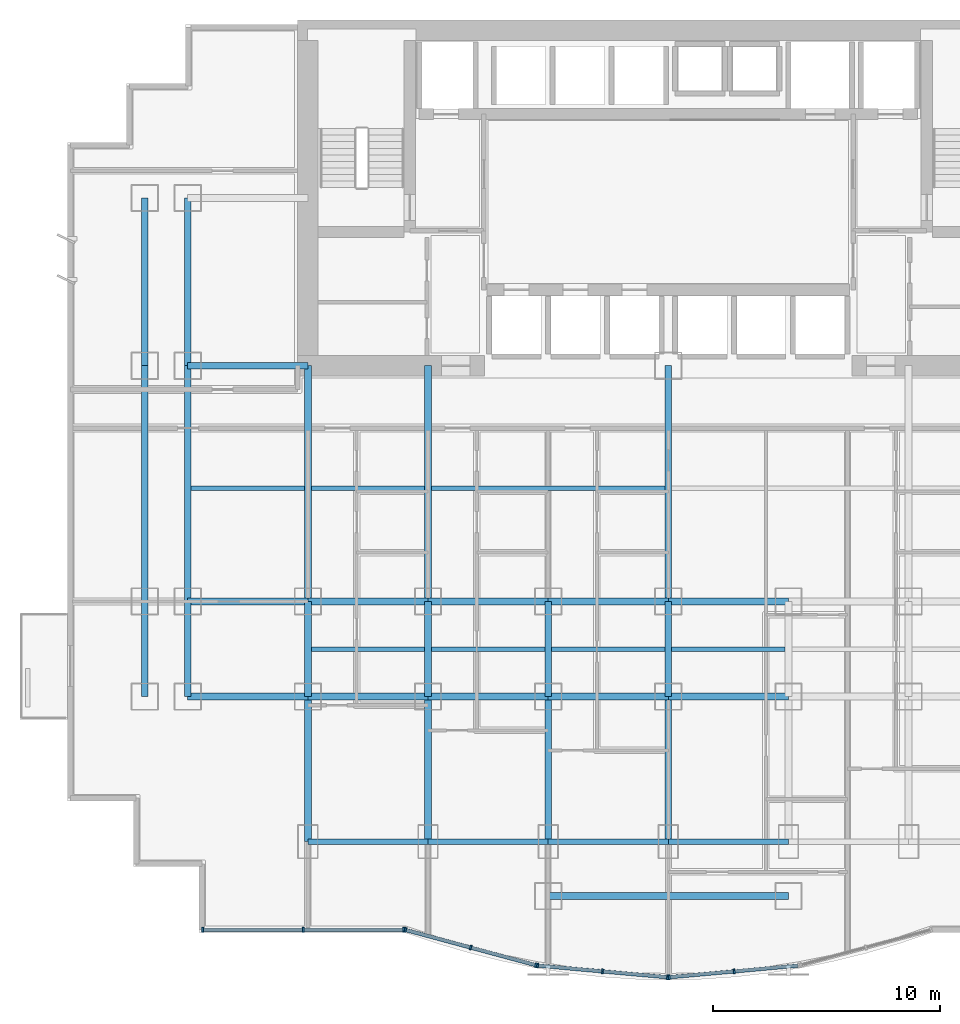
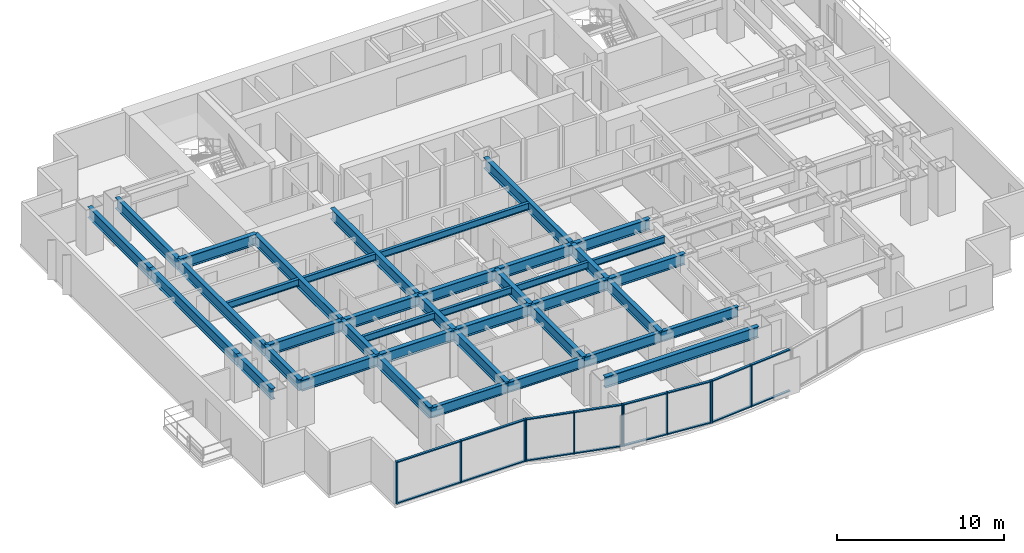
# One storey, part 2 of 10: 40 beams, 27 members, 4 elements without a shape of their own.
"""IFC4 building model written with IfcOpenShell, lengths in metres."""

import ifcopenshell
import ifcopenshell.guid

model = None  # the IFC model being written
_history = None  # IfcOwnerHistory: only IFC2X3 demands one
_inside = {}  # id of a spatial element -> (the spatial element, [elements in it])
_under = {}  # id of a project, library or spatial element -> (it, [spatial elements below it])
_declared = {}  # id of a project -> (the project, [libraries it declares])
_typed = {}  # id of a type object -> (the type object, [elements of that type])
_made_of = {}  # id of a material, layer set ... -> (it, [elements and type objects made of it])


def new_model(schema):
    """Start an empty IFC model of exactly this schema.

    Asked for "IFC4X3", IfcOpenShell would pick the latest addendum, in which some entities
    have other attributes; the version numbers below select the first issue.
    IFC2X3 requires an IfcOwnerHistory on every rooted entity: one is made here for all.
    """
    global model, _history
    if schema == "IFC4X3":
        model = ifcopenshell.file(schema_version=(4, 3, 0, 0))
    else:
        model = ifcopenshell.file(schema=schema)
    _inside.clear()
    _under.clear()
    _declared.clear()
    _typed.clear()
    _made_of.clear()
    _history = None
    if model.schema == "IFC2X3":
        org = make("IfcOrganization", Name="unknown")
        user = make(
            "IfcPersonAndOrganization",
            ThePerson=make("IfcPerson", FamilyName="unknown"),
            TheOrganization=org,
        )
        app = make(
            "IfcApplication",
            ApplicationDeveloper=org,
            Version="unknown",
            ApplicationFullName="unknown",
            ApplicationIdentifier="unknown",
        )
        _history = make(
            "IfcOwnerHistory",
            OwningUser=user,
            OwningApplication=app,
            ChangeAction="ADDED",
            CreationDate=0,
        )
    return model


def make(cls, **values):
    """One entity of the class cls with the attributes given. An attribute that is None is left unset."""
    return model.create_entity(
        cls, **{name: value for name, value in values.items() if value is not None}
    )


def rooted(cls, **values):
    """An entity with a GlobalId (a new one), such as an element, a storey or a relation."""
    return make(cls, GlobalId=ifcopenshell.guid.new(), OwnerHistory=_history, **values)


def si_unit(unit_type, name, prefix=None):
    """IfcSIUnit, for example si_unit("LENGTHUNIT", "METRE", prefix="MILLI")."""
    return make("IfcSIUnit", UnitType=unit_type, Prefix=prefix, Name=name)


def assignment(units):
    """IfcUnitAssignment: the units of a project."""
    return None if units is None else make("IfcUnitAssignment", Units=units)


def point(xyz):
    """IfcCartesianPoint."""
    return None if xyz is None else make("IfcCartesianPoint", Coordinates=xyz)


def direction(xyz):
    """IfcDirection."""
    return None if xyz is None else make("IfcDirection", DirectionRatios=xyz)


def frame(location, z_axis=None, x_axis=None):
    """IfcAxis2Placement3D, a coordinate frame: its origin and axes. An axis left out is left unset."""
    return make(
        "IfcAxis2Placement3D",
        Location=point(location),
        Axis=direction(z_axis),
        RefDirection=direction(x_axis),
    )


def frame_2d(location, x_axis=None):
    """IfcAxis2Placement2D, a coordinate frame in the plane: its origin and x axis."""
    return make(
        "IfcAxis2Placement2D", Location=point(location), RefDirection=direction(x_axis)
    )


def origin():
    """The frame at (0, 0, 0) with its axes left unset."""
    return frame((0.0, 0.0, 0.0))


def origin_2d():
    """The frame at (0, 0) in the plane with its x axis left unset."""
    return frame_2d((0.0, 0.0))


def place(relative_to, where):
    """IfcLocalPlacement: puts the frame where relative to a parent placement (None: the world)."""
    return make(
        "IfcLocalPlacement", PlacementRelTo=relative_to, RelativePlacement=where
    )


def context(
    kind, dimensions, precision=None, world=None, true_north=None, identifier=None
):
    """IfcGeometricRepresentationContext, for example the 3D "Model" context."""
    return make(
        "IfcGeometricRepresentationContext",
        ContextIdentifier=identifier,
        ContextType=kind,
        CoordinateSpaceDimension=dimensions,
        Precision=precision,
        WorldCoordinateSystem=world,
        TrueNorth=true_north,
    )


def subcontext(parent, identifier, kind, view, scale=None):
    """IfcGeometricRepresentationSubContext, for example "Body" below "Model"."""
    return make(
        "IfcGeometricRepresentationSubContext",
        ContextIdentifier=identifier,
        ContextType=kind,
        ParentContext=parent,
        TargetScale=scale,
        TargetView=view,
    )


def project(units=None, contexts=None):
    """IfcProject with its units and contexts."""
    return rooted(
        "IfcProject",
        Name="project",
        RepresentationContexts=contexts,
        UnitsInContext=assignment(units),
    )


def spatial(cls, under=None, at=None, **own):
    """A site, building, storey or space (cls), placed at a placement, below another one or the project."""
    s = rooted(cls, ObjectPlacement=at, **own)
    if under is not None:
        _under.setdefault(under.id(), (under, []))[1].append(s)
    return s


def profile(cls, at=None, kind="AREA", **sizes):
    """A parametric profile (cls). Its sizes go by their IFC names, for example OverallWidth=200.0."""
    return make(cls, ProfileType=kind, Position=at, **sizes)


def rectangle(**sizes):
    """IfcRectangleProfileDef."""
    return profile("IfcRectangleProfileDef", **sizes)


def i_section(**sizes):
    """IfcIShapeProfileDef."""
    return profile("IfcIShapeProfileDef", **sizes)


def extrude(swept, where, along, depth):
    """IfcExtrudedAreaSolid: the profile swept, set in the frame where, extruded along a direction by depth."""
    return make(
        "IfcExtrudedAreaSolid",
        SweptArea=swept,
        Position=where,
        ExtrudedDirection=direction(along),
        Depth=depth,
    )


def shape(context_of_items, identifier, shape_type, items):
    """IfcShapeRepresentation: the items that make up one representation, for example the "Body"."""
    return make(
        "IfcShapeRepresentation",
        ContextOfItems=context_of_items,
        RepresentationIdentifier=identifier,
        RepresentationType=shape_type,
        Items=items,
    )


def source(mapping_origin, context_of_items, identifier, shape_type, items):
    """IfcRepresentationMap: a shape defined once, which mapped items show again and again."""
    return make(
        "IfcRepresentationMap",
        MappingOrigin=mapping_origin,
        MappedRepresentation=shape(context_of_items, identifier, shape_type, items),
    )


def transform(
    local_origin,
    x_axis=None,
    y_axis=None,
    z_axis=None,
    scale=None,
    scale2=None,
    scale3=None,
    uniform=True,
):
    """IfcCartesianTransformationOperator3D, or its non-uniform kind. x_axis, y_axis, z_axis: its Axis1, 2, 3."""
    if uniform:
        return make(
            "IfcCartesianTransformationOperator3D",
            Axis1=direction(x_axis),
            Axis2=direction(y_axis),
            LocalOrigin=point(local_origin),
            Scale=scale,
            Axis3=direction(z_axis),
        )
    return make(
        "IfcCartesianTransformationOperator3DnonUniform",
        Axis1=direction(x_axis),
        Axis2=direction(y_axis),
        LocalOrigin=point(local_origin),
        Scale=scale,
        Axis3=direction(z_axis),
        Scale2=scale2,
        Scale3=scale3,
    )


def mapped(mapping_source, mapping_target):
    """IfcMappedItem: shows the shape of a source again, moved by a transform."""
    return make(
        "IfcMappedItem", MappingSource=mapping_source, MappingTarget=mapping_target
    )


def material(Name=None, Category=None):
    """IfcMaterial."""
    return make("IfcMaterial", Name=Name, Category=Category)


def layer(
    of_material, thickness, ventilated=None, Name=None, Category=None, Priority=None
):
    """IfcMaterialLayer: one layer of a wall or slab, of a material (None: an air gap)."""
    return make(
        "IfcMaterialLayer",
        Material=of_material,
        LayerThickness=thickness,
        IsVentilated=ventilated,
        Name=Name,
        Category=Category,
        Priority=Priority,
    )


def layer_set(layers, Name=None):
    """IfcMaterialLayerSet."""
    return make("IfcMaterialLayerSet", MaterialLayers=layers, LayerSetName=Name)


def material_profile(
    of_material, cross_section, Name=None, Category=None, Priority=None
):
    """IfcMaterialProfile: a cross section and its material."""
    return make(
        "IfcMaterialProfile",
        Name=Name,
        Material=of_material,
        Profile=cross_section,
        Priority=Priority,
        Category=Category,
    )


def profile_set(profiles, Name=None, composite=None):
    """IfcMaterialProfileSet."""
    return make(
        "IfcMaterialProfileSet",
        Name=Name,
        MaterialProfiles=profiles,
        CompositeProfile=composite,
    )


def made_of(thing, what):
    """Note that an element or type object is made of a material, layer set ...; save() writes the relation."""
    if what is not None:
        _made_of.setdefault(what.id(), (what, []))[1].append(thing)
    return thing


def type_object(cls, material=None, **own):
    """A type object (cls), such as IfcWallType, which elements share."""
    return made_of(rooted(cls, **own), material)


def element(
    cls,
    number,
    at=None,
    inside=None,
    cuts=None,
    type_object=None,
    material=None,
    context=None,
    identifier="Body",
    shape_type=None,
    held_by="IfcProductDefinitionShape",
    body=None,
    shapes=None,
    **own,
):
    """One element of the class cls, such as IfcWall. Its Tag is "e" and its number.

    at: its placement. inside: the storey or other place that contains it. cuts: it is an
    opening in that element (IfcRelVoidsElement). A single representation is given by context,
    identifier, shape_type and body (its items); several are given by shapes. held_by: the class
    of the entity that holds the representations. save() writes the other relations.
    """
    e = rooted(cls, Tag="e%d" % number, ObjectPlacement=at, **own)
    if body is not None:
        shapes = [shape(context, identifier, shape_type, body)]
    if shapes is not None:
        e.Representation = make(held_by, Representations=shapes)
    if inside is not None:
        _inside.setdefault(inside.id(), (inside, []))[1].append(e)
    if cuts is not None:
        rooted(
            "IfcRelVoidsElement", RelatingBuildingElement=cuts, RelatedOpeningElement=e
        )
    if type_object is not None:
        _typed.setdefault(type_object.id(), (type_object, []))[1].append(e)
    return made_of(e, material)


def aggregate(whole, parts):
    """IfcRelAggregates: a whole, such as a stair, and the parts it consists of."""
    return rooted("IfcRelAggregates", RelatingObject=whole, RelatedObjects=parts)


def save(model, path):
    """Write the relations noted so far, then the file.

    IfcRelAggregates (storeys below a building ...), IfcRelContainedInSpatialStructure (elements
    in a storey), IfcRelDefinesByType, IfcRelAssociatesMaterial and IfcRelDeclares: one each for
    every whole, place, type object, material and project.
    """
    for whole, parts in _under.values():
        aggregate(whole, parts)
    for where, things in _inside.values():
        rooted(
            "IfcRelContainedInSpatialStructure",
            RelatedElements=things,
            RelatingStructure=where,
        )
    for kind, things in _typed.values():
        rooted("IfcRelDefinesByType", RelatedObjects=things, RelatingType=kind)
    for what, things in _made_of.values():
        rooted("IfcRelAssociatesMaterial", RelatedObjects=things, RelatingMaterial=what)
    for by, libraries in _declared.values():
        rooted("IfcRelDeclares", RelatingContext=by, RelatedDefinitions=libraries)
    model.write(path)


model = new_model("IFC4")

# Units and contexts
model_context = context("Model", 3, precision=1e-05, world=origin(), true_north=direction((0.0, 1.0)))
body_context = subcontext(model_context, "Body", "Model", "MODEL_VIEW")
ifc_project = project(units=[si_unit("LENGTHUNIT", "METRE"), si_unit("AREAUNIT", "SQUARE_METRE"), si_unit("VOLUMEUNIT", "CUBIC_METRE"), si_unit("PLANEANGLEUNIT", "RADIAN"), si_unit("MASSUNIT", "GRAM", prefix="KILO")], contexts=[model_context])

# Site, building, storey
site_placement = place(None, origin())
site = spatial("IfcSite", under=ifc_project, at=site_placement, CompositionType="ELEMENT")
building_placement = place(site_placement, origin())
building = spatial("IfcBuilding", under=site, at=building_placement, Name="Qianlan Lanfeng Residences", CompositionType="ELEMENT")
storey_placement = place(building_placement, frame((0.0, 0.0, 37.39990234375)))
storey = spatial("IfcBuildingStorey", under=building, at=storey_placement, Name="L09", CompositionType="ELEMENT", Elevation=37.39990234375)

# Beams
ifc_material_1 = material(Name="Steel SN490B", Category="steel")
ifc_material_profile_1 = material_profile(ifc_material_1, i_section(OverallWidth=0.300048828125, OverallDepth=0.800048828125, WebThickness=0.01611328125, FlangeThickness=0.028076171875, at=origin_2d()), Name="H 800x300x16x28")
ifc_profile_set_1 = profile_set([ifc_material_profile_1], Name="Steel SN490B")
beam_type_1 = type_object("IfcBeamType", Name="G-950", PredefinedType="BEAM", material=ifc_profile_set_1)
beam_1_placement = place(storey_placement, frame((21.199951171875, 1.800048828125, 2.68017578125), z_axis=(1.0, 0.0, 0.0), x_axis=(0.0, 1.0, 0.0)))
element("IfcBeam", 1, at=beam_1_placement, inside=storey, type_object=beam_type_1, Name="Structural beam G-950", PredefinedType="BEAM", context=body_context, shape_type="SweptSolid", body=[
    extrude(i_section(OverallWidth=0.300048828125, OverallDepth=0.800048828125, WebThickness=0.01611328125, FlangeThickness=0.028076171875, at=origin_2d()), origin(), (0.0, 0.0, 1.0), 10.60009765625),
])
beam_2_placement = place(storey_placement, frame((5.300048828125, 10.60009765625, 2.68017578125), z_axis=(1.0, 0.0, 0.0), x_axis=(0.0, 1.0, 0.0)))
element("IfcBeam", 2, at=beam_2_placement, inside=storey, type_object=beam_type_1, Name="Structural beam G-950", PredefinedType="BEAM", context=body_context, shape_type="SweptSolid", body=[
    extrude(i_section(OverallWidth=0.300048828125, OverallDepth=0.800048828125, WebThickness=0.01611328125, FlangeThickness=0.028076171875, at=origin_2d()), origin(), (0.0, 0.0, 1.0), 5.300048828125),
])
beam_3_placement = place(storey_placement, frame((10.60009765625, 10.60009765625, 2.68017578125), z_axis=(1.0, 0.0, 0.0), x_axis=(0.0, 1.0, 0.0)))
element("IfcBeam", 3, at=beam_3_placement, inside=storey, type_object=beam_type_1, Name="Structural beam G-950", PredefinedType="BEAM", context=body_context, shape_type="SweptSolid", body=[
    extrude(i_section(OverallWidth=0.300048828125, OverallDepth=0.800048828125, WebThickness=0.01611328125, FlangeThickness=0.028076171875, at=origin_2d()), origin(), (0.0, 0.0, 1.0), 5.2998046875),
])
for number, where, z_axis, x_axis, name in (
    (4, (15.89990234375, 10.60009765625, 2.68017578125), (1.0, 0.0, 0.0), (0.0, 1.0, 0.0), "Structural beam G-950"),
    (5, (21.199951171875, 10.60009765625, 2.68017578125), (1.0, 0.0, 0.0), (0.0, 1.0, 0.0), "Structural beam G-950"),
    (6, (26.5, 10.60009765625, 2.68017578125), (1.0, 0.0, 0.0), (0.0, 1.0, 0.0), "Structural beam G-950"),
    (7, (5.300048828125, 14.800048828125, 2.68017578125), (1.0, 0.0, 0.0), (0.0, 1.0, 0.0), "Structural beam G-950"),
):
    element("IfcBeam", number, at=place(storey_placement, frame(where, z_axis=z_axis, x_axis=x_axis)), inside=storey, type_object=beam_type_1, Name=name, PredefinedType="BEAM", context=body_context, shape_type="SweptSolid", body=[
        extrude(i_section(OverallWidth=0.300048828125, OverallDepth=0.800048828125, WebThickness=0.01611328125, FlangeThickness=0.028076171875, at=origin_2d()), origin(), (0.0, 0.0, 1.0), 5.300048828125),
    ])
beam_4_placement = place(storey_placement, frame((10.60009765625, 14.800048828125, 2.68017578125), z_axis=(1.0, 0.0, 0.0), x_axis=(0.0, 1.0, 0.0)))
element("IfcBeam", 8, at=beam_4_placement, inside=storey, type_object=beam_type_1, Name="Structural beam G-950", PredefinedType="BEAM", context=body_context, shape_type="SweptSolid", body=[
    extrude(i_section(OverallWidth=0.300048828125, OverallDepth=0.800048828125, WebThickness=0.01611328125, FlangeThickness=0.028076171875, at=origin_2d()), origin(), (0.0, 0.0, 1.0), 5.2998046875),
])
for number, where, z_axis, x_axis, name in (
    (9, (15.89990234375, 14.800048828125, 2.68017578125), (1.0, 0.0, 0.0), (0.0, 1.0, 0.0), "Structural beam G-950"),
    (10, (21.199951171875, 14.800048828125, 2.68017578125), (1.0, 0.0, 0.0), (0.0, 1.0, 0.0), "Structural beam G-950"),
    (11, (26.5, 14.800048828125, 2.68017578125), (1.0, 0.0, 0.0), (0.0, 1.0, 0.0), "Structural beam G-950"),
    (12, (5.300048828125, 25.199951171875, 2.68017578125), (1.0, 0.0, 0.0), (0.0, 1.0, 0.0), "Structural beam G-950"),
):
    element("IfcBeam", number, at=place(storey_placement, frame(where, z_axis=z_axis, x_axis=x_axis)), inside=storey, type_object=beam_type_1, Name=name, PredefinedType="BEAM", context=body_context, shape_type="SweptSolid", body=[
        extrude(i_section(OverallWidth=0.300048828125, OverallDepth=0.800048828125, WebThickness=0.01611328125, FlangeThickness=0.028076171875, at=origin_2d()), origin(), (0.0, 0.0, 1.0), 5.300048828125),
    ])
beam_5_placement = place(storey_placement, frame((3.39990234375, 10.60009765625, 2.68017578125), z_axis=(0.0, 1.0, 0.0), x_axis=(-1.0, 0.0, 0.0)))
element("IfcBeam", 13, at=beam_5_placement, inside=storey, type_object=beam_type_1, Name="Structural beam G-950", PredefinedType="BEAM", context=body_context, shape_type="SweptSolid", body=[
    extrude(i_section(OverallWidth=0.300048828125, OverallDepth=0.800048828125, WebThickness=0.01611328125, FlangeThickness=0.028076171875, at=origin_2d()), origin(), (0.0, 0.0, 1.0), 4.199951171875),
])
beam_6_placement = place(storey_placement, frame((3.39990234375, 14.800048828125, 2.68017578125), z_axis=(0.0, 1.0, 0.0), x_axis=(-1.0, 0.0, 0.0)))
element("IfcBeam", 14, at=beam_6_placement, inside=storey, type_object=beam_type_1, Name="Structural beam G-950", PredefinedType="BEAM", context=body_context, shape_type="SweptSolid", body=[
    extrude(i_section(OverallWidth=0.300048828125, OverallDepth=0.800048828125, WebThickness=0.01611328125, FlangeThickness=0.028076171875, at=origin_2d()), origin(), (0.0, 0.0, 1.0), 10.39990234375),
])
beam_7_placement = place(storey_placement, frame((3.39990234375, 25.199951171875, 2.68017578125), z_axis=(0.0, 1.0, 0.0), x_axis=(-1.0, 0.0, 0.0)))
element("IfcBeam", 15, at=beam_7_placement, inside=storey, type_object=beam_type_1, Name="Structural beam G-950", PredefinedType="BEAM", context=body_context, shape_type="SweptSolid", body=[
    extrude(i_section(OverallWidth=0.300048828125, OverallDepth=0.800048828125, WebThickness=0.01611328125, FlangeThickness=0.028076171875, at=origin_2d()), origin(), (0.0, 0.0, 1.0), 7.400146484375),
])
beam_8_placement = place(storey_placement, frame((5.300048828125, 10.60009765625, 2.68017578125), z_axis=(0.0, 1.0, 0.0), x_axis=(-1.0, 0.0, 0.0)))
element("IfcBeam", 16, at=beam_8_placement, inside=storey, type_object=beam_type_1, Name="Structural beam G-950", PredefinedType="BEAM", context=body_context, shape_type="SweptSolid", body=[
    extrude(i_section(OverallWidth=0.300048828125, OverallDepth=0.800048828125, WebThickness=0.01611328125, FlangeThickness=0.028076171875, at=origin_2d()), origin(), (0.0, 0.0, 1.0), 4.199951171875),
])
beam_9_placement = place(storey_placement, frame((5.300048828125, 14.800048828125, 2.68017578125), z_axis=(0.0, 1.0, 0.0), x_axis=(-1.0, 0.0, 0.0)))
element("IfcBeam", 17, at=beam_9_placement, inside=storey, type_object=beam_type_1, Name="Structural beam G-950", PredefinedType="BEAM", context=body_context, shape_type="SweptSolid", body=[
    extrude(i_section(OverallWidth=0.300048828125, OverallDepth=0.800048828125, WebThickness=0.01611328125, FlangeThickness=0.028076171875, at=origin_2d()), origin(), (0.0, 0.0, 1.0), 10.39990234375),
])
beam_10_placement = place(storey_placement, frame((5.300048828125, 25.199951171875, 2.68017578125), z_axis=(0.0, 1.0, 0.0), x_axis=(-1.0, 0.0, 0.0)))
element("IfcBeam", 18, at=beam_10_placement, inside=storey, type_object=beam_type_1, Name="Structural beam G-950", PredefinedType="BEAM", context=body_context, shape_type="SweptSolid", body=[
    extrude(i_section(OverallWidth=0.300048828125, OverallDepth=0.800048828125, WebThickness=0.01611328125, FlangeThickness=0.028076171875, at=origin_2d()), origin(), (0.0, 0.0, 1.0), 7.400146484375),
])
beam_11_placement = place(storey_placement, frame((10.60009765625, 4.199951171875, 2.68017578125), z_axis=(0.0, 1.0, 0.0), x_axis=(-1.0, 0.0, 0.0)))
element("IfcBeam", 19, at=beam_11_placement, inside=storey, type_object=beam_type_1, Name="Structural beam G-950", PredefinedType="BEAM", context=body_context, shape_type="SweptSolid", body=[
    extrude(i_section(OverallWidth=0.300048828125, OverallDepth=0.800048828125, WebThickness=0.01611328125, FlangeThickness=0.028076171875, at=origin_2d()), origin(), (0.0, 0.0, 1.0), 6.400146484375),
])
beam_12_placement = place(storey_placement, frame((10.60009765625, 10.60009765625, 2.68017578125), z_axis=(0.0, 1.0, 0.0), x_axis=(-1.0, 0.0, 0.0)))
element("IfcBeam", 20, at=beam_12_placement, inside=storey, type_object=beam_type_1, Name="Structural beam G-950", PredefinedType="BEAM", context=body_context, shape_type="SweptSolid", body=[
    extrude(i_section(OverallWidth=0.300048828125, OverallDepth=0.800048828125, WebThickness=0.01611328125, FlangeThickness=0.028076171875, at=origin_2d()), origin(), (0.0, 0.0, 1.0), 4.199951171875),
])
beam_13_placement = place(storey_placement, frame((10.60009765625, 14.800048828125, 2.68017578125), z_axis=(0.0, 1.0, 0.0), x_axis=(-1.0, 0.0, 0.0)))
element("IfcBeam", 21, at=beam_13_placement, inside=storey, type_object=beam_type_1, Name="Structural beam G-950", PredefinedType="BEAM", context=body_context, shape_type="SweptSolid", body=[
    extrude(i_section(OverallWidth=0.300048828125, OverallDepth=0.800048828125, WebThickness=0.01611328125, FlangeThickness=0.028076171875, at=origin_2d()), origin(), (0.0, 0.0, 1.0), 10.39990234375),
])
beam_14_placement = place(storey_placement, frame((15.89990234375, 4.199951171875, 2.68017578125), z_axis=(0.0, 1.0, 0.0), x_axis=(-1.0, 0.0, 0.0)))
element("IfcBeam", 22, at=beam_14_placement, inside=storey, type_object=beam_type_1, Name="Structural beam G-950", PredefinedType="BEAM", context=body_context, shape_type="SweptSolid", body=[
    extrude(i_section(OverallWidth=0.300048828125, OverallDepth=0.800048828125, WebThickness=0.01611328125, FlangeThickness=0.028076171875, at=origin_2d()), origin(), (0.0, 0.0, 1.0), 6.400146484375),
])
beam_15_placement = place(storey_placement, frame((15.89990234375, 10.60009765625, 2.68017578125), z_axis=(0.0, 1.0, 0.0), x_axis=(-1.0, 0.0, 0.0)))
element("IfcBeam", 23, at=beam_15_placement, inside=storey, type_object=beam_type_1, Name="Structural beam G-950", PredefinedType="BEAM", context=body_context, shape_type="SweptSolid", body=[
    extrude(i_section(OverallWidth=0.300048828125, OverallDepth=0.800048828125, WebThickness=0.01611328125, FlangeThickness=0.028076171875, at=origin_2d()), origin(), (0.0, 0.0, 1.0), 4.199951171875),
])
beam_16_placement = place(storey_placement, frame((15.89990234375, 14.800048828125, 2.68017578125), z_axis=(0.0, 1.0, 0.0), x_axis=(-1.0, 0.0, 0.0)))
element("IfcBeam", 24, at=beam_16_placement, inside=storey, type_object=beam_type_1, Name="Structural beam G-950", PredefinedType="BEAM", context=body_context, shape_type="SweptSolid", body=[
    extrude(i_section(OverallWidth=0.300048828125, OverallDepth=0.800048828125, WebThickness=0.01611328125, FlangeThickness=0.028076171875, at=origin_2d()), origin(), (0.0, 0.0, 1.0), 10.39990234375),
])
beam_17_placement = place(storey_placement, frame((21.199951171875, 4.199951171875, 2.68017578125), z_axis=(0.0, 1.0, 0.0), x_axis=(-1.0, 0.0, 0.0)))
element("IfcBeam", 25, at=beam_17_placement, inside=storey, type_object=beam_type_1, Name="Structural beam G-950", PredefinedType="BEAM", context=body_context, shape_type="SweptSolid", body=[
    extrude(i_section(OverallWidth=0.300048828125, OverallDepth=0.800048828125, WebThickness=0.01611328125, FlangeThickness=0.028076171875, at=origin_2d()), origin(), (0.0, 0.0, 1.0), 6.400146484375),
])
beam_18_placement = place(storey_placement, frame((21.199951171875, 10.60009765625, 2.68017578125), z_axis=(0.0, 1.0, 0.0), x_axis=(-1.0, 0.0, 0.0)))
element("IfcBeam", 26, at=beam_18_placement, inside=storey, type_object=beam_type_1, Name="Structural beam G-950", PredefinedType="BEAM", context=body_context, shape_type="SweptSolid", body=[
    extrude(i_section(OverallWidth=0.300048828125, OverallDepth=0.800048828125, WebThickness=0.01611328125, FlangeThickness=0.028076171875, at=origin_2d()), origin(), (0.0, 0.0, 1.0), 4.199951171875),
])
beam_19_placement = place(storey_placement, frame((26.5, 4.199951171875, 2.68017578125), z_axis=(0.0, 1.0, 0.0), x_axis=(-1.0, 0.0, 0.0)))
element("IfcBeam", 27, at=beam_19_placement, inside=storey, type_object=beam_type_1, Name="Structural beam G-950", PredefinedType="BEAM", context=body_context, shape_type="SweptSolid", body=[
    extrude(i_section(OverallWidth=0.300048828125, OverallDepth=0.800048828125, WebThickness=0.01611328125, FlangeThickness=0.028076171875, at=origin_2d()), origin(), (0.0, 0.0, 1.0), 6.400146484375),
])
beam_20_placement = place(storey_placement, frame((26.5, 10.60009765625, 2.68017578125), z_axis=(0.0, 1.0, 0.0), x_axis=(-1.0, 0.0, 0.0)))
element("IfcBeam", 28, at=beam_20_placement, inside=storey, type_object=beam_type_1, Name="Structural beam G-950", PredefinedType="BEAM", context=body_context, shape_type="SweptSolid", body=[
    extrude(i_section(OverallWidth=0.300048828125, OverallDepth=0.800048828125, WebThickness=0.01611328125, FlangeThickness=0.028076171875, at=origin_2d()), origin(), (0.0, 0.0, 1.0), 4.199951171875),
])
beam_21_placement = place(storey_placement, frame((26.5, 14.800048828125, 2.68017578125), z_axis=(0.0, 1.0, 0.0), x_axis=(-1.0, 0.0, 0.0)))
element("IfcBeam", 29, at=beam_21_placement, inside=storey, type_object=beam_type_1, Name="Structural beam G-950", PredefinedType="BEAM", context=body_context, shape_type="SweptSolid", body=[
    extrude(i_section(OverallWidth=0.300048828125, OverallDepth=0.800048828125, WebThickness=0.01611328125, FlangeThickness=0.028076171875, at=origin_2d()), origin(), (0.0, 0.0, 1.0), 10.39990234375),
])
ifc_material_profile_2 = material_profile(ifc_material_1, i_section(OverallWidth=0.199951171875, OverallDepth=0.5, WebThickness=0.010009765625, FlangeThickness=0.01611328125, at=origin_2d()), Name="H 500x200x10x16")
ifc_profile_set_2 = profile_set([ifc_material_profile_2], Name="Steel SN490B")
beam_type_2 = type_object("IfcBeamType", Name="J-500", PredefinedType="JOIST", material=ifc_profile_set_2)
for number, where, z_axis, x_axis, name in (
    (30, (10.75, 12.699951171875, 2.830078125), (1.0, 0.0, 0.0), (0.0, 1.0, 0.0), "Structural beam J-500"),
    (31, (16.050048828125, 12.699951171875, 2.830078125), (1.0, 0.0, 0.0), (0.0, 1.0, 0.0), "Structural beam J-500"),
    (32, (21.35009765625, 12.699951171875, 2.830078125), (1.0, 0.0, 0.0), (0.0, 1.0, 0.0), "Structural beam J-500"),
    (33, (26.64990234375, 12.699951171875, 2.830078125), (1.0, 0.0, 0.0), (0.0, 1.0, 0.0), "Structural beam J-500"),
    (34, (5.449951171875, 19.800048828125, 2.830078125), (1.0, 0.0, 0.0), (0.0, 1.0, 0.0), "Structural beam J-500"),
    (35, (10.75, 19.800048828125, 2.830078125), (1.0, 0.0, 0.0), (0.0, 1.0, 0.0), "Structural beam J-500"),
):
    element("IfcBeam", number, at=place(storey_placement, frame(where, z_axis=z_axis, x_axis=x_axis)), inside=storey, type_object=beam_type_2, Name=name, PredefinedType="JOIST", context=body_context, shape_type="SweptSolid", body=[
        extrude(i_section(OverallWidth=0.199951171875, OverallDepth=0.5, WebThickness=0.010009765625, FlangeThickness=0.01611328125, at=origin_2d()), origin(), (0.0, 0.0, 1.0), 5.0),
    ])
beam_22_placement = place(storey_placement, frame((16.050048828125, 19.800048828125, 2.830078125), z_axis=(1.0, 0.0, 0.0), x_axis=(0.0, 1.0, 0.0)))
element("IfcBeam", 36, at=beam_22_placement, inside=storey, type_object=beam_type_2, Name="Structural beam J-500", PredefinedType="JOIST", context=body_context, shape_type="SweptSolid", body=[
    extrude(i_section(OverallWidth=0.199951171875, OverallDepth=0.5, WebThickness=0.010009765625, FlangeThickness=0.01611328125, at=origin_2d()), origin(), (0.0, 0.0, 1.0), 10.300048828125),
])
ifc_material_profile_3 = material_profile(ifc_material_1, i_section(OverallWidth=0.25, OverallDepth=0.75, WebThickness=0.013916015625, FlangeThickness=0.02490234375, at=origin_2d()), Name="H 750x250x14x25")
ifc_profile_set_3 = profile_set([ifc_material_profile_3], Name="Steel SN490B")
beam_type_3 = type_object("IfcBeamType", Name="SG-850", PredefinedType="SPANDREL", material=ifc_profile_set_3)
beam_23_placement = place(storey_placement, frame((10.60009765625, 4.199951171875, 2.705078125), z_axis=(1.0, 0.0, 0.0), x_axis=(0.0, 1.0, 0.0)))
element("IfcBeam", 37, at=beam_23_placement, inside=storey, type_object=beam_type_3, Name="Structural beam SG-850", PredefinedType="SPANDREL", context=body_context, shape_type="SweptSolid", body=[
    extrude(i_section(OverallWidth=0.25, OverallDepth=0.75, WebThickness=0.013916015625, FlangeThickness=0.02490234375, at=origin_2d()), origin(), (0.0, 0.0, 1.0), 5.2998046875),
])
for number, where, z_axis, x_axis, name in (
    (38, (15.89990234375, 4.199951171875, 2.705078125), (1.0, 0.0, 0.0), (0.0, 1.0, 0.0), "Structural beam SG-850"),
    (39, (21.199951171875, 4.199951171875, 2.705078125), (1.0, 0.0, 0.0), (0.0, 1.0, 0.0), "Structural beam SG-850"),
    (40, (26.5, 4.199951171875, 2.705078125), (1.0, 0.0, 0.0), (0.0, 1.0, 0.0), "Structural beam SG-850"),
):
    element("IfcBeam", number, at=place(storey_placement, frame(where, z_axis=z_axis, x_axis=x_axis)), inside=storey, type_object=beam_type_3, Name=name, PredefinedType="SPANDREL", context=body_context, shape_type="SweptSolid", body=[
        extrude(i_section(OverallWidth=0.25, OverallDepth=0.75, WebThickness=0.013916015625, FlangeThickness=0.02490234375, at=origin_2d()), origin(), (0.0, 0.0, 1.0), 5.300048828125),
    ])

# Curtain wall, members
ifc_material_2 = material(Name="Anodised Bronze Aluminium 6063-T6", Category="aluminium")
ifc_layer = layer(ifc_material_2, 0.219970703125)
ifc_layer_set = layer_set([ifc_layer], Name="Anodised Bronze Aluminium 6063-T6")
curtain_wall_type = type_object("IfcCurtainWallType", Name="CW-02", PredefinedType="NOTDEFINED", material=ifc_layer_set)
curtain_wall_1_placement = place(storey_placement, origin())
curtain_wall_1 = element("IfcCurtainWall", 41, at=curtain_wall_1_placement, inside=storey, type_object=curtain_wall_type, Name="L09 Unitised Curtain Wall CWR-L09-01 (CW-02)", PredefinedType="NOTDEFINED")
ifc_material_profile_4 = material_profile(ifc_material_2, rectangle(XDim=0.080078125, YDim=0.2099609375, at=origin_2d()), Name="ALU MULLION 80x210")
ifc_profile_set_4 = profile_set([ifc_material_profile_4], Name="Anodised Bronze Aluminium 6063-T6")
member_type_1 = type_object("IfcMemberType", Name="CWM-220", PredefinedType="MULLION", material=ifc_profile_set_4)
shared_shape_1 = source(origin(), body_context, "Body", "SweptSolid", [
    extrude(rectangle(XDim=0.080078125, YDim=0.2099609375, at=origin_2d()), origin(), (0.0, 0.0, 1.0), 3.080078125),
])
member_1_placement = place(storey_placement, frame((5.9599609375, 0.320068359375, 0.0), z_axis=(0.0, 0.0, 1.0), x_axis=(1.0, 0.0, 0.0)))
member_1 = element("IfcMember", 42, at=member_1_placement, type_object=member_type_1, Name="CWR-L09-01 Mullion 1", PredefinedType="MULLION", context=body_context, shape_type="MappedRepresentation", body=[
    mapped(shared_shape_1, transform((0.0, 0.0, 0.0), scale=1.0)),
])
member_2_placement = place(storey_placement, frame((10.39501953125, 0.320068359375, 0.0), z_axis=(0.0, 0.0, 1.0), x_axis=(1.0, 0.0, 0.0)))
member_2 = element("IfcMember", 43, at=member_2_placement, type_object=member_type_1, Name="CWR-L09-01 Mullion 2", PredefinedType="MULLION", context=body_context, shape_type="MappedRepresentation", body=[
    mapped(shared_shape_1, transform((0.0, 0.0, 0.0), scale=1.0)),
])
member_3_placement = place(storey_placement, frame((14.830078125, 0.320068359375, 0.0), z_axis=(0.0, 0.0, 1.0), x_axis=(1.0, 0.0, 0.0)))
member_3 = element("IfcMember", 44, at=member_3_placement, type_object=member_type_1, Name="CWR-L09-01 Mullion 3", PredefinedType="MULLION", context=body_context, shape_type="MappedRepresentation", body=[
    mapped(shared_shape_1, transform((0.0, 0.0, 0.0), scale=1.0)),
])

curtain_wall_2_placement = place(storey_placement, origin())
curtain_wall_2 = element("IfcCurtainWall", 45, at=curtain_wall_2_placement, inside=storey, type_object=curtain_wall_type, Name="L09 Unitised Curtain Wall CWR-L09-02 (CW-02)", PredefinedType="NOTDEFINED")
member_4_placement = place(storey_placement, frame((14.90869140625, 0.3095703125, 0.0), z_axis=(0.0, 0.0, 1.0), x_axis=(0.9652627173, -0.261281240412, 0.0)))
member_4 = element("IfcMember", 46, at=member_4_placement, type_object=member_type_1, Name="CWR-L09-02 Mullion 1", PredefinedType="MULLION", context=body_context, shape_type="MappedRepresentation", body=[
    mapped(shared_shape_1, transform((0.0, 0.0, 0.0), scale=1.0)),
])
member_5_placement = place(storey_placement, frame((17.782958984375, -0.468505859375, 0.0), z_axis=(0.0, 0.0, 1.0), x_axis=(0.9652627173, -0.261281240412, 0.0)))
member_5 = element("IfcMember", 47, at=member_5_placement, type_object=member_type_1, Name="CWR-L09-02 Mullion 2", PredefinedType="MULLION", context=body_context, shape_type="MappedRepresentation", body=[
    mapped(shared_shape_1, transform((0.0, 0.0, 0.0), scale=1.0)),
])
member_6_placement = place(storey_placement, frame((20.657470703125, -1.24658203125, 0.0), z_axis=(0.0, 0.0, 1.0), x_axis=(0.9652627173, -0.261281240412, 0.0)))
member_6 = element("IfcMember", 48, at=member_6_placement, type_object=member_type_1, Name="CWR-L09-02 Mullion 3", PredefinedType="MULLION", context=body_context, shape_type="MappedRepresentation", body=[
    mapped(shared_shape_1, transform((0.0, 0.0, 0.0), scale=1.0)),
])

curtain_wall_3_placement = place(storey_placement, origin())
curtain_wall_3 = element("IfcCurtainWall", 49, at=curtain_wall_3_placement, inside=storey, type_object=curtain_wall_type, Name="L09 Unitised Curtain Wall CWR-L09-03 (CW-02)", PredefinedType="NOTDEFINED")
member_7_placement = place(storey_placement, frame((20.73583984375, -1.260498046875, 0.0), z_axis=(0.0, 0.0, 1.0), x_axis=(0.995964677764, -0.089746089862, 0.0)))
member_7 = element("IfcMember", 50, at=member_7_placement, type_object=member_type_1, Name="CWR-L09-03 Mullion 1", PredefinedType="MULLION", context=body_context, shape_type="MappedRepresentation", body=[
    mapped(shared_shape_1, transform((0.0, 0.0, 0.0), scale=1.0)),
])
member_8_placement = place(storey_placement, frame((23.597900390625, -1.5185546875, 0.0), z_axis=(0.0, 0.0, 1.0), x_axis=(0.995964677764, -0.089746089862, 0.0)))
member_8 = element("IfcMember", 51, at=member_8_placement, type_object=member_type_1, Name="CWR-L09-03 Mullion 2", PredefinedType="MULLION", context=body_context, shape_type="MappedRepresentation", body=[
    mapped(shared_shape_1, transform((0.0, 0.0, 0.0), scale=1.0)),
])
member_9_placement = place(storey_placement, frame((26.460205078125, -1.7763671875, 0.0), z_axis=(0.0, 0.0, 1.0), x_axis=(0.995964677764, -0.089746089862, 0.0)))
member_9 = element("IfcMember", 52, at=member_9_placement, type_object=member_type_1, Name="CWR-L09-03 Mullion 3", PredefinedType="MULLION", context=body_context, shape_type="MappedRepresentation", body=[
    mapped(shared_shape_1, transform((0.0, 0.0, 0.0), scale=1.0)),
])

curtain_wall_4_placement = place(storey_placement, origin())
curtain_wall_4 = element("IfcCurtainWall", 53, at=curtain_wall_4_placement, inside=storey, type_object=curtain_wall_type, Name="L09 Unitised Curtain Wall CWR-L09-04 (CW-02)", PredefinedType="NOTDEFINED")
member_10_placement = place(storey_placement, frame((26.539794921875, -1.7763671875, 0.0), z_axis=(0.0, 0.0, 1.0), x_axis=(0.995964677764, 0.089746089862, 0.0)))
member_10 = element("IfcMember", 54, at=member_10_placement, type_object=member_type_1, Name="CWR-L09-04 Mullion 1", PredefinedType="MULLION", context=body_context, shape_type="MappedRepresentation", body=[
    mapped(shared_shape_1, transform((0.0, 0.0, 0.0), scale=1.0)),
])
member_11_placement = place(storey_placement, frame((29.402099609375, -1.5185546875, 0.0), z_axis=(0.0, 0.0, 1.0), x_axis=(0.995964677764, 0.089746089862, 0.0)))
member_11 = element("IfcMember", 55, at=member_11_placement, type_object=member_type_1, Name="CWR-L09-04 Mullion 2", PredefinedType="MULLION", context=body_context, shape_type="MappedRepresentation", body=[
    mapped(shared_shape_1, transform((0.0, 0.0, 0.0), scale=1.0)),
])

# Member
ifc_material_profile_5 = material_profile(ifc_material_2, rectangle(XDim=0.080078125, YDim=0.159912109375, at=origin_2d()), Name="ALU TRANSOM 80x160")
ifc_profile_set_5 = profile_set([ifc_material_profile_5], Name="Anodised Bronze Aluminium 6063-T6")
member_type_2 = type_object("IfcMemberType", Name="CWT-180", PredefinedType="USERDEFINED", material=ifc_profile_set_5)
shared_shape_2 = source(origin(), body_context, "Body", "SweptSolid", [
    extrude(rectangle(XDim=0.080078125, YDim=0.159912109375, at=origin_2d()), origin(), (0.0, 0.0, 1.0), 2.897705078125),
])
member_12_placement = place(storey_placement, frame((14.947265625, 0.299072265625, 0.0400390625), z_axis=(0.965267548724, -0.261263390817, 0.0), x_axis=(0.0, 0.0, 1.0)))
member_12 = element("IfcMember", 56, at=member_12_placement, type_object=member_type_2, Name="CWR-L09-02 Transom 1-BOT", ObjectType="TRANSOM", PredefinedType="USERDEFINED", context=body_context, shape_type="MappedRepresentation", body=[
    mapped(shared_shape_2, transform((0.0, 0.0, 0.0), scale=1.0)),
])

member_13_placement = place(storey_placement, frame((14.947265625, 0.299072265625, 3.0400390625), z_axis=(0.965267548724, -0.261263390817, 0.0), x_axis=(0.0, 0.0, 1.0)))
member_13 = element("IfcMember", 57, at=member_13_placement, type_object=member_type_2, Name="CWR-L09-02 Transom 1-TOP", ObjectType="TRANSOM", PredefinedType="USERDEFINED", context=body_context, shape_type="MappedRepresentation", body=[
    mapped(shared_shape_2, transform((0.0, 0.0, 0.0), scale=1.0)),
])

shared_shape_3 = source(origin(), body_context, "Body", "SweptSolid", [
    extrude(rectangle(XDim=0.080078125, YDim=0.159912109375, at=origin_2d()), origin(), (0.0, 0.0, 1.0), 2.89794921875),
])
member_14_placement = place(storey_placement, frame((17.821533203125, -0.47900390625, 0.0400390625), z_axis=(0.965273298897, -0.261242145215, 0.0), x_axis=(0.0, 0.0, 1.0)))
member_14 = element("IfcMember", 58, at=member_14_placement, type_object=member_type_2, Name="CWR-L09-02 Transom 2-BOT", ObjectType="TRANSOM", PredefinedType="USERDEFINED", context=body_context, shape_type="MappedRepresentation", body=[
    mapped(shared_shape_3, transform((0.0, 0.0, 0.0), scale=1.0)),
])

member_15_placement = place(storey_placement, frame((17.821533203125, -0.47900390625, 3.0400390625), z_axis=(0.965273298897, -0.261242145215, 0.0), x_axis=(0.0, 0.0, 1.0)))
member_15 = element("IfcMember", 59, at=member_15_placement, type_object=member_type_2, Name="CWR-L09-02 Transom 2-TOP", ObjectType="TRANSOM", PredefinedType="USERDEFINED", context=body_context, shape_type="MappedRepresentation", body=[
    mapped(shared_shape_3, transform((0.0, 0.0, 0.0), scale=1.0)),
])

aggregate(curtain_wall_2, [member_4, member_5, member_6, member_12, member_13, member_14, member_15])

shared_shape_4 = source(origin(), body_context, "Body", "SweptSolid", [
    extrude(rectangle(XDim=0.080078125, YDim=0.159912109375, at=origin_2d()), origin(), (0.0, 0.0, 1.0), 2.793701171875),
])
member_16_placement = place(storey_placement, frame((20.775634765625, -1.26416015625, 0.0400390625), z_axis=(0.995964524532, -0.089747790357, 0.0), x_axis=(0.0, 0.0, 1.0)))
member_16 = element("IfcMember", 60, at=member_16_placement, type_object=member_type_2, Name="CWR-L09-03 Transom 1-BOT", ObjectType="TRANSOM", PredefinedType="USERDEFINED", context=body_context, shape_type="MappedRepresentation", body=[
    mapped(shared_shape_4, transform((0.0, 0.0, 0.0), scale=1.0)),
])

member_17_placement = place(storey_placement, frame((20.775634765625, -1.26416015625, 3.0400390625), z_axis=(0.995964524532, -0.089747790357, 0.0), x_axis=(0.0, 0.0, 1.0)))
member_17 = element("IfcMember", 61, at=member_17_placement, type_object=member_type_2, Name="CWR-L09-03 Transom 1-TOP", ObjectType="TRANSOM", PredefinedType="USERDEFINED", context=body_context, shape_type="MappedRepresentation", body=[
    mapped(shared_shape_4, transform((0.0, 0.0, 0.0), scale=1.0)),
])

member_18_placement = place(storey_placement, frame((23.637939453125, -1.522216796875, 0.0400390625), z_axis=(0.995972332078, -0.089661104915, 0.0), x_axis=(0.0, 0.0, 1.0)))
member_18 = element("IfcMember", 62, at=member_18_placement, type_object=member_type_2, Name="CWR-L09-03 Transom 2-BOT", ObjectType="TRANSOM", PredefinedType="USERDEFINED", context=body_context, shape_type="MappedRepresentation", body=[
    mapped(shared_shape_4, transform((0.0, 0.0, 0.0), scale=1.0)),
])

member_19_placement = place(storey_placement, frame((23.637939453125, -1.522216796875, 3.0400390625), z_axis=(0.995972332078, -0.089661104915, 0.0), x_axis=(0.0, 0.0, 1.0)))
member_19 = element("IfcMember", 63, at=member_19_placement, type_object=member_type_2, Name="CWR-L09-03 Transom 2-TOP", ObjectType="TRANSOM", PredefinedType="USERDEFINED", context=body_context, shape_type="MappedRepresentation", body=[
    mapped(shared_shape_4, transform((0.0, 0.0, 0.0), scale=1.0)),
])

aggregate(curtain_wall_3, [member_7, member_8, member_9, member_16, member_17, member_18, member_19])

member_20_placement = place(storey_placement, frame((29.44189453125, -1.514892578125, 0.0400390625), z_axis=(0.995964524532, 0.089747790357, 0.0), x_axis=(0.0, 0.0, 1.0)))
member_20 = element("IfcMember", 64, at=member_20_placement, type_object=member_type_2, Name="CWR-L09-04 Transom 2-BOT", ObjectType="TRANSOM", PredefinedType="USERDEFINED", context=body_context, shape_type="MappedRepresentation", body=[
    mapped(shared_shape_4, transform((0.0, 0.0, 0.0), scale=1.0)),
])

member_21_placement = place(storey_placement, frame((29.44189453125, -1.514892578125, 3.0400390625), z_axis=(0.995964524532, 0.089747790357, 0.0), x_axis=(0.0, 0.0, 1.0)))
member_21 = element("IfcMember", 65, at=member_21_placement, type_object=member_type_2, Name="CWR-L09-04 Transom 2-TOP", ObjectType="TRANSOM", PredefinedType="USERDEFINED", context=body_context, shape_type="MappedRepresentation", body=[
    mapped(shared_shape_4, transform((0.0, 0.0, 0.0), scale=1.0)),
])

shared_shape_5 = source(origin(), body_context, "Body", "SweptSolid", [
    extrude(rectangle(XDim=0.080078125, YDim=0.159912109375, at=origin_2d()), origin(), (0.0, 0.0, 1.0), 2.7939453125),
])
member_22_placement = place(storey_placement, frame((26.57958984375, -1.772705078125, 0.0400390625), z_axis=(0.995973034517, 0.089653301756, 0.0), x_axis=(0.0, 0.0, 1.0)))
member_22 = element("IfcMember", 66, at=member_22_placement, type_object=member_type_2, Name="CWR-L09-04 Transom 1-BOT", ObjectType="TRANSOM", PredefinedType="USERDEFINED", context=body_context, shape_type="MappedRepresentation", body=[
    mapped(shared_shape_5, transform((0.0, 0.0, 0.0), scale=1.0)),
])

member_23_placement = place(storey_placement, frame((26.57958984375, -1.772705078125, 3.0400390625), z_axis=(0.995973034517, 0.089653301756, 0.0), x_axis=(0.0, 0.0, 1.0)))
member_23 = element("IfcMember", 67, at=member_23_placement, type_object=member_type_2, Name="CWR-L09-04 Transom 1-TOP", ObjectType="TRANSOM", PredefinedType="USERDEFINED", context=body_context, shape_type="MappedRepresentation", body=[
    mapped(shared_shape_5, transform((0.0, 0.0, 0.0), scale=1.0)),
])

aggregate(curtain_wall_4, [member_10, member_11, member_22, member_23, member_20, member_21])

shared_shape_6 = source(origin(), body_context, "Body", "SweptSolid", [
    extrude(rectangle(XDim=0.080078125, YDim=0.159912109375, at=origin_2d()), origin(), (0.0, 0.0, 1.0), 4.35498046875),
])
member_24_placement = place(storey_placement, frame((6.0, 0.320068359375, 0.0400390625), z_axis=(1.0, 0.0, 0.0), x_axis=(0.0, 0.0, 1.0)))
member_24 = element("IfcMember", 68, at=member_24_placement, type_object=member_type_2, Name="CWR-L09-01 Transom 1-BOT", ObjectType="TRANSOM", PredefinedType="USERDEFINED", context=body_context, shape_type="MappedRepresentation", body=[
    mapped(shared_shape_6, transform((0.0, 0.0, 0.0), scale=1.0)),
])

member_25_placement = place(storey_placement, frame((6.0, 0.320068359375, 3.0400390625), z_axis=(1.0, 0.0, 0.0), x_axis=(0.0, 0.0, 1.0)))
member_25 = element("IfcMember", 69, at=member_25_placement, type_object=member_type_2, Name="CWR-L09-01 Transom 1-TOP", ObjectType="TRANSOM", PredefinedType="USERDEFINED", context=body_context, shape_type="MappedRepresentation", body=[
    mapped(shared_shape_6, transform((0.0, 0.0, 0.0), scale=1.0)),
])

member_26_placement = place(storey_placement, frame((10.43505859375, 0.320068359375, 0.0400390625), z_axis=(1.0, 0.0, 0.0), x_axis=(0.0, 0.0, 1.0)))
member_26 = element("IfcMember", 70, at=member_26_placement, type_object=member_type_2, Name="CWR-L09-01 Transom 2-BOT", ObjectType="TRANSOM", PredefinedType="USERDEFINED", context=body_context, shape_type="MappedRepresentation", body=[
    mapped(shared_shape_6, transform((0.0, 0.0, 0.0), scale=1.0)),
])

member_27_placement = place(storey_placement, frame((10.43505859375, 0.320068359375, 3.0400390625), z_axis=(1.0, 0.0, 0.0), x_axis=(0.0, 0.0, 1.0)))
member_27 = element("IfcMember", 71, at=member_27_placement, type_object=member_type_2, Name="CWR-L09-01 Transom 2-TOP", ObjectType="TRANSOM", PredefinedType="USERDEFINED", context=body_context, shape_type="MappedRepresentation", body=[
    mapped(shared_shape_6, transform((0.0, 0.0, 0.0), scale=1.0)),
])

aggregate(curtain_wall_1, [member_1, member_2, member_3, member_24, member_25, member_26, member_27])

save(model, "model.ifc")
